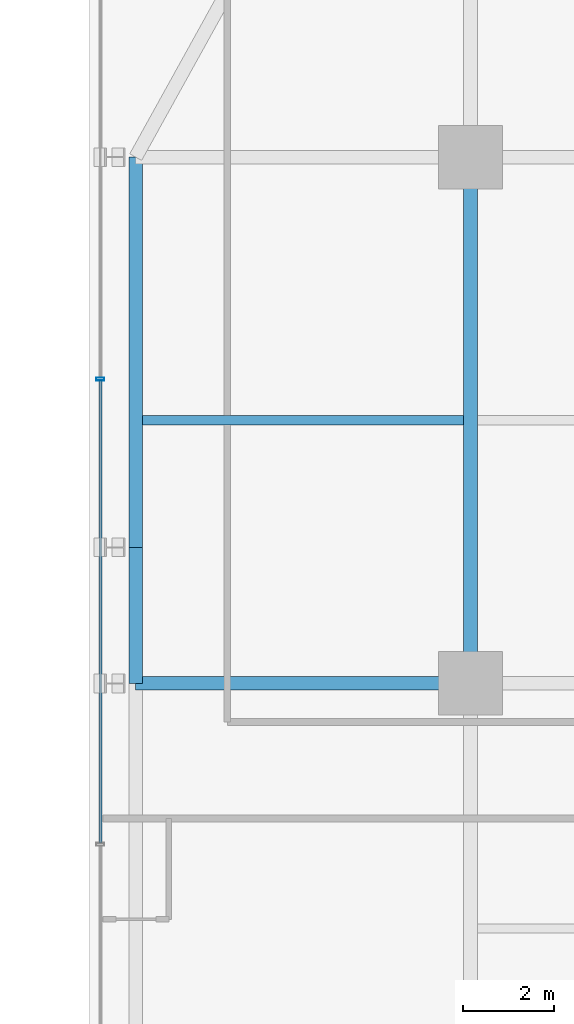
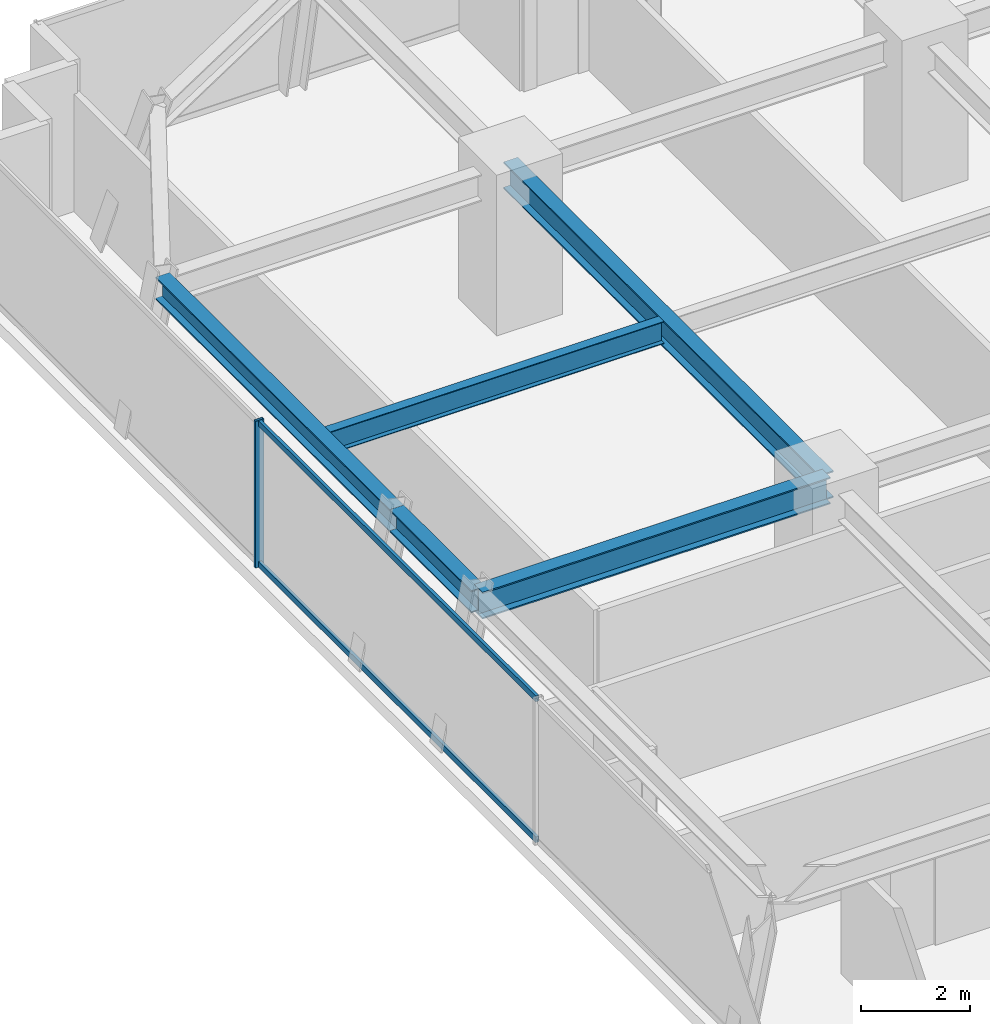
# One storey, part 17 of 35: 5 beams, 3 members, 1 element without a shape of its own.
"""IFC4 building model written with IfcOpenShell, lengths in metres."""

from ifc_helpers import new_model, si_unit, direction, frame, origin, origin_2d, place, context, subcontext, project, spatial, hollow_rectangle, i_section, extrude, source, transform, mapped, material, material_profile, profile_set, type_object, element, aggregate, save


model = new_model("IFC4")

# Units and contexts
model_context = context("Model", 3, precision=1e-05, world=origin(), true_north=direction((0.0, 1.0)))
body_context = subcontext(model_context, "Body", "Model", "MODEL_VIEW")
ifc_project = project(units=[si_unit("LENGTHUNIT", "METRE"), si_unit("AREAUNIT", "SQUARE_METRE"), si_unit("VOLUMEUNIT", "CUBIC_METRE"), si_unit("PLANEANGLEUNIT", "RADIAN"), si_unit("MASSUNIT", "GRAM", prefix="KILO")], contexts=[model_context])

# Site, building, storey
site_placement = place(None, origin())
site = spatial("IfcSite", under=ifc_project, at=site_placement, CompositionType="ELEMENT")
building_placement = place(site_placement, origin())
building = spatial("IfcBuilding", under=site, at=building_placement, Name="Nahalor Promenade Grand Hotel", CompositionType="ELEMENT")
storey_placement = place(building_placement, frame((0.0, 0.0, 79.85009765625)))
storey = spatial("IfcBuildingStorey", under=building, at=storey_placement, Name="L19", CompositionType="ELEMENT", Elevation=79.85009765625)

# Beams
ifc_material_1 = material(Name="Steel S355JR", Category="steel")
ifc_material_profile_1 = material_profile(ifc_material_1, i_section(OverallWidth=0.3, OverallDepth=0.6, WebThickness=0.0155, FlangeThickness=0.03, at=origin_2d()), Name="HEB 600")
ifc_profile_set_1 = profile_set([ifc_material_profile_1], Name="Steel S355JR")
beam_type_1 = type_object("IfcBeamType", Name="Beam-Girder-HEB600", PredefinedType="BEAM", material=ifc_profile_set_1)
shared_shape_1 = source(origin(), body_context, "Body", "SweptSolid", [
    extrude(i_section(OverallWidth=0.3, OverallDepth=0.6, WebThickness=0.0155, FlangeThickness=0.03, at=origin_2d()), origin(), (0.0, 0.0, 1.0), 11.60009765625),
])
beam_1_placement = place(storey_placement, frame((-17.0, 5.39990234375, 2.989990234375), z_axis=(0.0, 1.0, 0.0), x_axis=(-1.0, 0.0, 0.0)))
element("IfcBeam", 1, at=beam_1_placement, inside=storey, type_object=beam_type_1, Name="BM-L19-GY-0-3", PredefinedType="BEAM", context=body_context, shape_type="MappedRepresentation", body=[
    mapped(shared_shape_1, transform((0.0, 0.0, 0.0), scale=1.0)),
])
ifc_material_profile_2 = material_profile(ifc_material_1, i_section(OverallWidth=0.3, OverallDepth=0.5, WebThickness=0.0145, FlangeThickness=0.028, at=origin_2d()), Name="HEB 500")
ifc_profile_set_2 = profile_set([ifc_material_profile_2], Name="Steel S355JR")
beam_type_2 = type_object("IfcBeamType", Name="Beam-Spandrel-HEB500", PredefinedType="SPANDREL", material=ifc_profile_set_2)
shared_shape_2 = source(origin(), body_context, "Body", "SweptSolid", [
    extrude(i_section(OverallWidth=0.3, OverallDepth=0.5, WebThickness=0.0145, FlangeThickness=0.028, at=origin_2d()), origin(), (0.0, 0.0, 1.0), 8.60009765625),
])
beam_2_placement = place(storey_placement, frame((-24.3798828125, 8.39990234375, 3.039794921875), z_axis=(0.0, 1.0, 0.0), x_axis=(-1.0, 0.0, 0.0)))
element("IfcBeam", 2, at=beam_2_placement, inside=storey, type_object=beam_type_2, Name="BM-L19-SP-W-4", PredefinedType="SPANDREL", context=body_context, shape_type="MappedRepresentation", body=[
    mapped(shared_shape_2, transform((0.0, 0.0, 0.0), scale=1.0)),
])
shared_shape_3 = source(origin(), body_context, "Body", "SweptSolid", [
    extrude(i_section(OverallWidth=0.3, OverallDepth=0.5, WebThickness=0.0145, FlangeThickness=0.028, at=origin_2d()), origin(), (0.0, 0.0, 1.0), 3.0),
])
beam_3_placement = place(storey_placement, frame((-24.3798828125, 5.39990234375, 3.039794921875), z_axis=(0.0, 1.0, 0.0), x_axis=(-1.0, 0.0, 0.0)))
element("IfcBeam", 3, at=beam_3_placement, inside=storey, type_object=beam_type_2, Name="BM-L19-SP-W-3", PredefinedType="SPANDREL", context=body_context, shape_type="MappedRepresentation", body=[
    mapped(shared_shape_3, transform((0.0, 0.0, 0.0), scale=1.0)),
])
shared_shape_4 = source(origin(), body_context, "Body", "SweptSolid", [
    extrude(i_section(OverallWidth=0.3, OverallDepth=0.6, WebThickness=0.0155, FlangeThickness=0.03, at=origin_2d()), origin(), (0.0, 0.0, 1.0), 7.3798828125),
])
beam_4_placement = place(storey_placement, frame((-24.3798828125, 5.39990234375, 2.989990234375), z_axis=(1.0, 0.0, 0.0), x_axis=(0.0, 1.0, 0.0)))
element("IfcBeam", 4, at=beam_4_placement, inside=storey, type_object=beam_type_1, Name="BM-L19-GX-2-0", PredefinedType="BEAM", context=body_context, shape_type="MappedRepresentation", body=[
    mapped(shared_shape_4, transform((0.0, 0.0, 0.0), scale=1.0)),
])
ifc_material_profile_3 = material_profile(ifc_material_1, i_section(OverallWidth=0.2, OverallDepth=0.5, WebThickness=0.0102, FlangeThickness=0.016, at=origin_2d()), Name="IPE 500")
ifc_profile_set_3 = profile_set([ifc_material_profile_3], Name="Steel S355JR")
beam_type_3 = type_object("IfcBeamType", Name="Beam-Joist-IPE500", PredefinedType="JOIST", material=ifc_profile_set_3)
shared_shape_5 = source(origin(), body_context, "Body", "SweptSolid", [
    extrude(i_section(OverallWidth=0.2, OverallDepth=0.5, WebThickness=0.0102, FlangeThickness=0.016, at=origin_2d()), origin(), (0.0, 0.0, 1.0), 7.080078125),
])
beam_5_placement = place(storey_placement, frame((-24.22998046875, 11.199951171875, 3.039794921875), z_axis=(1.0, 0.0, 0.0), x_axis=(0.0, 1.0, 0.0)))
element("IfcBeam", 5, at=beam_5_placement, inside=storey, type_object=beam_type_3, Name="BM-L19-JSW-1-0", PredefinedType="JOIST", context=body_context, shape_type="MappedRepresentation", body=[
    mapped(shared_shape_5, transform((0.0, 0.0, 0.0), scale=1.0)),
])

# Curtain wall, members
ifc_material_2 = material(Name="Anodised Bronze Aluminium EN AW-6063 T6", Category="aluminium")
curtain_wall_type = type_object("IfcCurtainWallType", Name="CW2 Typical Hotel Flush Bronze Unitised Curtain Wall", PredefinedType="USERDEFINED", material=ifc_material_2)
curtain_wall_placement = place(storey_placement, origin())
curtain_wall = element("IfcCurtainWall", 6, at=curtain_wall_placement, inside=storey, type_object=curtain_wall_type, Name="L19 Curtain Wall CW-L19-W-3", ObjectType="UNITISED_CURTAIN_WALL", PredefinedType="USERDEFINED")
ifc_material_profile_4 = material_profile(ifc_material_2, hollow_rectangle(XDim=0.065, YDim=0.13, WallThickness=0.004, at=origin_2d()), Name="CWT 65x130x4")
ifc_profile_set_4 = profile_set([ifc_material_profile_4], Name="Anodised Bronze Aluminium EN AW-6063 T6")
member_type_1 = type_object("IfcMemberType", Name="CWT2 Typical Bronze Transom 65x130", PredefinedType="USERDEFINED", material=ifc_profile_set_4)
shared_shape_6 = source(origin(), body_context, "Body", "SweptSolid", [
    extrude(hollow_rectangle(XDim=0.065, YDim=0.13, WallThickness=0.004, at=origin_2d()), origin(), (0.0, 0.0, 1.0), 10.1884765625),
])
member_1_placement = place(storey_placement, frame((-25.159912109375, 1.8857421875, 0.06494140625), z_axis=(0.0, 1.0, 0.0), x_axis=(-1.0, 0.0, 0.0)))
member_1 = element("IfcMember", 7, at=member_1_placement, type_object=member_type_1, Name="CW-L19-W-3 Transom 1-0", ObjectType="TRANSOM", PredefinedType="USERDEFINED", context=body_context, shape_type="MappedRepresentation", body=[
    mapped(shared_shape_6, transform((0.0, 0.0, 0.0), scale=1.0)),
])
member_2_placement = place(storey_placement, frame((-25.159912109375, 1.8857421875, 3.224853515625), z_axis=(0.0, 1.0, 0.0), x_axis=(-1.0, 0.0, 0.0)))
member_2 = element("IfcMember", 8, at=member_2_placement, type_object=member_type_1, Name="CW-L19-W-3 Transom 1-1", ObjectType="TRANSOM", PredefinedType="USERDEFINED", context=body_context, shape_type="MappedRepresentation", body=[
    mapped(shared_shape_6, transform((0.0, 0.0, 0.0), scale=1.0)),
])
ifc_material_profile_5 = material_profile(ifc_material_2, hollow_rectangle(XDim=0.065, YDim=0.18, WallThickness=0.004, at=origin_2d()), Name="CWM 65x180x4")
ifc_profile_set_5 = profile_set([ifc_material_profile_5], Name="Anodised Bronze Aluminium EN AW-6063 T6")
member_type_2 = type_object("IfcMemberType", Name="CWM2 Typical Bronze Mullion 65x180", PredefinedType="MULLION", material=ifc_profile_set_5)
shared_shape_7 = source(origin(), body_context, "Body", "SweptSolid", [
    extrude(hollow_rectangle(XDim=0.065, YDim=0.18, WallThickness=0.004, at=origin_2d()), origin(), (0.0, 0.0, 1.0), 3.289794921875),
])
member_3_placement = place(storey_placement, frame((-25.159912109375, 12.106689453125, 0.0), z_axis=(0.0, 0.0, 1.0), x_axis=(0.0, 1.0, 0.0)))
member_3 = element("IfcMember", 9, at=member_3_placement, type_object=member_type_2, Name="CW-L19-W-3 Mullion 2", PredefinedType="MULLION", context=body_context, shape_type="MappedRepresentation", body=[
    mapped(shared_shape_7, transform((0.0, 0.0, 0.0), scale=1.0)),
])
aggregate(curtain_wall, [member_3, member_1, member_2])

save(model, "model.ifc")
